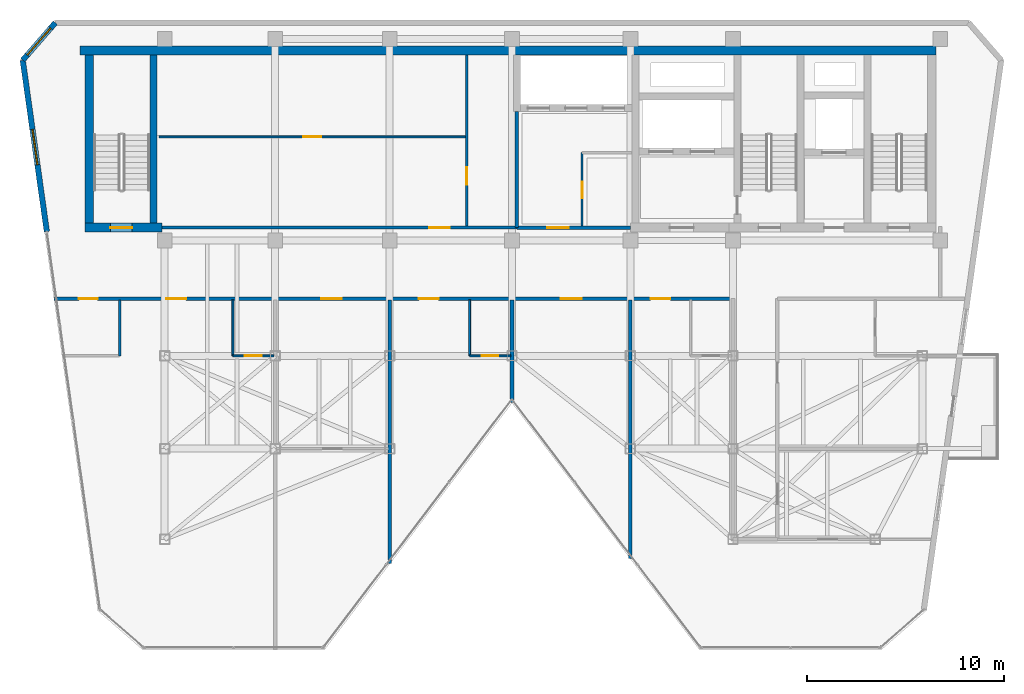
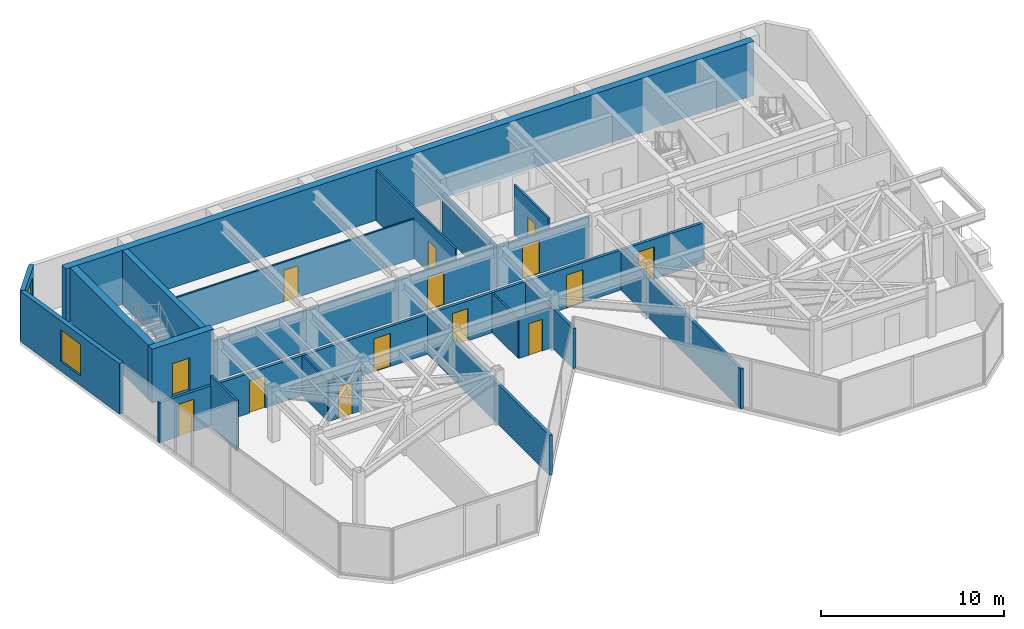
# One storey, part 16 of 20: 21 walls, 14 doors, 2 windows, 16 openings.
"""IFC4 building model written with IfcOpenShell, lengths in metres."""

from ifc_helpers import new_model, si_unit, direction, frame, frame_2d, origin, place, context, subcontext, project, spatial, rectangle, extrude, material, layer, layer_set, type_object, element, fill, save


model = new_model("IFC4")

# Units and contexts
model_context = context("Model", 3, precision=1e-05, world=origin(), true_north=direction((0.0, 1.0)))
body_context = subcontext(model_context, "Body", "Model", "MODEL_VIEW")
ifc_project = project(units=[si_unit("LENGTHUNIT", "METRE"), si_unit("AREAUNIT", "SQUARE_METRE"), si_unit("VOLUMEUNIT", "CUBIC_METRE"), si_unit("PLANEANGLEUNIT", "RADIAN"), si_unit("MASSUNIT", "GRAM", prefix="KILO")], contexts=[model_context])

# Site, building, storey
site_placement = place(None, origin())
site = spatial("IfcSite", under=ifc_project, at=site_placement, CompositionType="ELEMENT")
building_placement = place(site_placement, origin())
building = spatial("IfcBuilding", under=site, at=building_placement, Name="Kravanh Interchange Tower", CompositionType="ELEMENT")
storey_placement = place(building_placement, frame((0.0, 0.0, 234.60009765625)))
storey = spatial("IfcBuildingStorey", under=building, at=storey_placement, Name="L56", CompositionType="ELEMENT", Elevation=234.60009765625)

# Wall, opening, door
ifc_material_1 = material(Name="Double Acoustic Gypsum Board and Mineral Wool")
ifc_layer_1 = layer(ifc_material_1, 0.1201171875)
ifc_layer_set_1 = layer_set([ifc_layer_1], Name="Acoustic Office Drywall Partition 120mm")
wall_type_1 = type_object("IfcWallType", Name="Acoustic Office Drywall Partition 120mm", PredefinedType="PARTITIONING", material=ifc_layer_set_1)
wall_1_placement = place(storey_placement, frame((48.35009765625, 38.068115234375, 0.0), z_axis=(0.0, 0.0, 1.0), x_axis=(0.0, 1.0, 0.0)))
wall_1 = element("IfcWall", 1, at=wall_1_placement, inside=storey, type_object=wall_type_1, Name="L56 Interior Partition 2", PredefinedType="PARTITIONING", context=body_context, shape_type="SweptSolid", body=[
    extrude(rectangle(XDim=3.73193359375, YDim=0.1201171875, at=frame_2d((1.865966796875, 0.0))), origin(), (0.0, 0.0, 1.0), 3.35986328125),
])
opening_1_placement = place(wall_1_placement, frame((1.406982421875, 0.0, 0.0)))
opening_1 = element("IfcOpeningElement", 2, at=opening_1_placement, cuts=wall_1, Name="Opening D-85", PredefinedType="OPENING", context=body_context, shape_type="SweptSolid", body=[
    extrude(rectangle(XDim=0.85009765625, YDim=2.10009765625, at=frame_2d((0.425048828125, 1.050048828125))), frame((0.0, 0.070068359375, 0.0), z_axis=(0.0, -1.0, 0.0), x_axis=(1.0, 0.0, 0.0)), (0.0, 0.0, 1.0), 0.14013671875),
])
ifc_material_2 = material(Name="Engineered Teak Veneer Timber", Category="wood")
door_type_1 = type_object("IfcDoorType", Name="En-Suite Timber Door 850x2100", OperationType="NOTDEFINED", PredefinedType="DOOR", material=ifc_material_2)
door_1_placement = place(opening_1_placement, origin())
door_1 = element("IfcDoor", 3, at=door_1_placement, inside=storey, type_object=door_type_1, Name="L56 Core Electrical Closet Door", OperationType="SINGLE_SWING_LEFT", OverallHeight=2.10009765625, OverallWidth=0.85009765625, PredefinedType="DOOR", context=body_context, shape_type="SweptSolid", body=[
    extrude(rectangle(XDim=0.85009765625, YDim=2.10009765625, at=frame_2d((0.425048828125, 1.050048828125))), frame((0.0, 0.02490234375, 0.0), z_axis=(0.0, -1.0, 0.0), x_axis=(1.0, 0.0, 0.0)), (0.0, 0.0, 1.0), 0.050048828125),
])
fill(opening_1, door_1)

wall_2_placement = place(storey_placement, frame((42.5, 38.068115234375, 0.0), z_axis=(0.0, 0.0, 1.0), x_axis=(0.0, 1.0, 0.0)))
wall_2 = element("IfcWall", 4, at=wall_2_placement, inside=storey, type_object=wall_type_1, Name="L56 Interior Partition 7", PredefinedType="PARTITIONING", context=body_context, shape_type="SweptSolid", body=[
    extrude(rectangle(XDim=8.673828125, YDim=0.1201171875, at=frame_2d((4.3369140625, 0.0))), origin(), (0.0, 0.0, 1.0), 3.35986328125),
])
opening_2_placement = place(wall_2_placement, frame((2.09130859375, 0.0, 0.0)))
opening_2 = element("IfcOpeningElement", 5, at=opening_2_placement, cuts=wall_2, Name="Opening D-90", PredefinedType="OPENING", context=body_context, shape_type="SweptSolid", body=[
    extrude(rectangle(XDim=0.89990234375, YDim=2.10009765625, at=frame_2d((0.449951171875, 1.050048828125))), frame((0.0, 0.070068359375, 0.0), z_axis=(0.0, -1.0, 0.0), x_axis=(1.0, 0.0, 0.0)), (0.0, 0.0, 1.0), 0.14013671875),
])
ifc_material_3 = material(Name="Painted Solid-Core Timber", Category="wood")
door_type_2 = type_object("IfcDoorType", Name="Service Room Door 900x2100", OperationType="NOTDEFINED", PredefinedType="DOOR", material=ifc_material_3)
door_2_placement = place(opening_2_placement, origin())
door_2 = element("IfcDoor", 6, at=door_2_placement, inside=storey, type_object=door_type_2, Name="L56 Housekeeping Inner Door", OperationType="SINGLE_SWING_RIGHT", OverallHeight=2.10009765625, OverallWidth=0.89990234375, PredefinedType="DOOR", context=body_context, shape_type="SweptSolid", body=[
    extrude(rectangle(XDim=0.89990234375, YDim=2.10009765625, at=frame_2d((0.449951171875, 1.050048828125))), frame((0.0, 0.02490234375, 0.0), z_axis=(0.0, -1.0, 0.0), x_axis=(1.0, 0.0, 0.0)), (0.0, 0.0, 1.0), 0.050048828125),
])
fill(opening_2, door_2)

# Walls
wall_3_placement = place(storey_placement, frame((24.919921875, 31.5, 0.0), z_axis=(0.0, 0.0, 1.0), x_axis=(0.0, 1.0, 0.0)))
element("IfcWall", 7, at=wall_3_placement, inside=storey, type_object=wall_type_1, Name="L56 Interior Partition 15", PredefinedType="PARTITIONING", context=body_context, shape_type="SweptSolid", body=[
    extrude(rectangle(XDim=2.83203125, YDim=0.1201171875, at=frame_2d((1.416015625, 0.0))), origin(), (0.0, 0.0, 1.0), 3.35986328125),
])
ifc_material_4 = material(Name="Concrete C60/75", Category="concrete")
ifc_layer_2 = layer(ifc_material_4, 0.35009765625)
ifc_layer_set_2 = layer_set([ifc_layer_2], Name="Core Shear Wall Concrete C60/75 350mm")
wall_type_2 = type_object("IfcWallType", Name="Core Shear Wall Concrete C60/75 350mm", PredefinedType="SHEAR", material=ifc_layer_set_2)
wall_4_placement = place(storey_placement, frame((26.625, 38.22509765625, 0.0), z_axis=(0.0, 0.0, 1.0), x_axis=(0.0, 1.0, 0.0)))
element("IfcWall", 8, at=wall_4_placement, inside=storey, type_object=wall_type_2, Name="L56 Stair ST3 East Shear Wall", PredefinedType="SHEAR", context=body_context, shape_type="SweptSolid", body=[
    extrude(rectangle(XDim=8.52490234375, YDim=0.35009765625, at=frame_2d((4.262451171875, 0.0))), origin(), (0.0, 0.0, 1.0), 3.599853515625),
])
ifc_material_5 = material(Name="Concrete C60/75", Category="concrete")
ifc_layer_3 = layer(ifc_material_5, 0.449951171875)
ifc_layer_set_3 = layer_set([ifc_layer_3], Name="Core Shear Wall Concrete C60/75 450mm")
wall_type_3 = type_object("IfcWallType", Name="Core Shear Wall Concrete C60/75 450mm", PredefinedType="SHEAR", material=ifc_layer_set_3)
wall_5_placement = place(storey_placement, frame((22.89990234375, 46.97509765625, 0.0), z_axis=(0.0, 0.0, 1.0), x_axis=(1.0, 0.0, 0.0)))
element("IfcWall", 9, at=wall_5_placement, inside=storey, type_object=wall_type_3, Name="L56 North Core Shear Wall", PredefinedType="SHEAR", context=body_context, shape_type="SweptSolid", body=[
    extrude(rectangle(XDim=43.400146484375, YDim=0.449951171875, at=frame_2d((21.7001953125, 0.0))), origin(), (0.0, 0.0, 1.0), 3.599853515625),
])

# Wall, opening, door
wall_6_placement = place(storey_placement, frame((23.14990234375, 38.0, 0.0), z_axis=(0.0, 0.0, 1.0), x_axis=(1.0, 0.0, 0.0)))
wall_6 = element("IfcWall", 10, at=wall_6_placement, inside=storey, type_object=wall_type_3, Name="L56 Stair ST3 South Shear Wall", PredefinedType="SHEAR", context=body_context, shape_type="SweptSolid", body=[
    extrude(rectangle(XDim=3.900146484375, YDim=0.449951171875, at=frame_2d((1.9501953125, 0.0))), origin(), (0.0, 0.0, 1.0), 3.599853515625),
])
opening_3_placement = place(wall_6_placement, frame((1.300048828125, 0.0, 0.0)))
opening_3 = element("IfcOpeningElement", 11, at=opening_3_placement, cuts=wall_6, Name="Opening D-STAIR-110", PredefinedType="OPENING", context=body_context, shape_type="SweptSolid", body=[
    extrude(rectangle(XDim=1.10009765625, YDim=2.199951171875, at=frame_2d((0.550048828125, 1.10009765625))), frame((0.0, 0.23486328125, 0.0), z_axis=(0.0, -1.0, 0.0), x_axis=(1.0, 0.0, 0.0)), (0.0, 0.0, 1.0), 0.469970703125),
])
ifc_material_6 = material(Name="Structural Steel S355", Category="steel")
door_type_3 = type_object("IfcDoorType", Name="Fire-Rated Exit Stair Door 1100x2200", OperationType="NOTDEFINED", PredefinedType="DOOR", material=ifc_material_6)
door_3_placement = place(opening_3_placement, origin())
door_3 = element("IfcDoor", 12, at=door_3_placement, inside=storey, type_object=door_type_3, Name="L56 Exit Stair ST3 Door", OperationType="SINGLE_SWING_RIGHT", OverallHeight=2.199951171875, OverallWidth=1.10009765625, PredefinedType="DOOR", context=body_context, shape_type="SweptSolid", body=[
    extrude(rectangle(XDim=1.10009765625, YDim=2.199951171875, at=frame_2d((0.550048828125, 1.10009765625))), frame((0.0, 0.02490234375, 0.0), z_axis=(0.0, -1.0, 0.0), x_axis=(1.0, 0.0, 0.0)), (0.0, 0.0, 1.0), 0.050048828125),
])
fill(opening_3, door_3)

# Wall
wall_7_placement = place(storey_placement, frame((23.375, 38.22509765625, 0.0), z_axis=(0.0, 0.0, 1.0), x_axis=(0.0, 1.0, 0.0)))
element("IfcWall", 13, at=wall_7_placement, inside=storey, type_object=wall_type_3, Name="L56 Stair ST3 West Shear Wall", PredefinedType="SHEAR", context=body_context, shape_type="SweptSolid", body=[
    extrude(rectangle(XDim=8.52490234375, YDim=0.449951171875, at=frame_2d((4.262451171875, 0.0))), origin(), (0.0, 0.0, 1.0), 3.599853515625),
])

# Wall, opening, door
ifc_material_7 = material(Name="Moisture-Resistant Gypsum Board and Mineral Wool")
ifc_layer_4 = layer(ifc_material_7, 0.10009765625)
ifc_layer_set_4 = layer_set([ifc_layer_4], Name="En-Suite Moisture-Resistant Partition 100mm")
wall_type_4 = type_object("IfcWallType", Name="En-Suite Moisture-Resistant Partition 100mm", PredefinedType="PARTITIONING", material=ifc_layer_set_4)
wall_8_placement = place(storey_placement, frame((26.91796875, 42.60009765625, 0.0), z_axis=(0.0, 0.0, 1.0), x_axis=(1.0, 0.0, 0.0)))
wall_8 = element("IfcWall", 14, at=wall_8_placement, inside=storey, type_object=wall_type_4, Name="L56 Interior Partition 8", PredefinedType="PARTITIONING", context=body_context, shape_type="SweptSolid", body=[
    extrude(rectangle(XDim=15.513916015625, YDim=0.10009765625, at=frame_2d((7.7568359375, 0.0))), origin(), (0.0, 0.0, 1.0), 2.663818359375),
])
opening_4_placement = place(wall_8_placement, frame((7.306884765625, 0.0, 0.0)))
opening_4 = element("IfcOpeningElement", 15, at=opening_4_placement, cuts=wall_8, Name="Opening D-90", PredefinedType="OPENING", context=body_context, shape_type="SweptSolid", body=[
    extrude(rectangle(XDim=0.89990234375, YDim=2.10009765625, at=frame_2d((0.449951171875, 1.050048828125))), frame((0.0, 0.06005859375, 0.0), z_axis=(0.0, -1.0, 0.0), x_axis=(1.0, 0.0, 0.0)), (0.0, 0.0, 1.0), 0.1201171875),
])
door_4_placement = place(opening_4_placement, origin())
door_4 = element("IfcDoor", 16, at=door_4_placement, inside=storey, type_object=door_type_2, Name="L56 Quiet Reading Alcove Inner Door", OperationType="SINGLE_SWING_LEFT", OverallHeight=2.10009765625, OverallWidth=0.89990234375, PredefinedType="DOOR", context=body_context, shape_type="SweptSolid", body=[
    extrude(rectangle(XDim=0.89990234375, YDim=2.10009765625, at=frame_2d((0.449951171875, 1.050048828125))), frame((0.0, 0.02490234375, 0.0), z_axis=(0.0, -1.0, 0.0), x_axis=(1.0, 0.0, 0.0)), (0.0, 0.0, 1.0), 0.050048828125),
])
fill(opening_4, door_4)

# Wall
wall_9_placement = place(storey_placement, frame((30.64990234375, 31.5, 0.0), z_axis=(0.0, 0.0, 1.0), x_axis=(0.0, 1.0, 0.0)))
element("IfcWall", 17, at=wall_9_placement, inside=storey, type_object=wall_type_4, Name="L56 Interior Partition 21", PredefinedType="PARTITIONING", context=body_context, shape_type="SweptSolid", body=[
    extrude(rectangle(XDim=2.83203125, YDim=0.10009765625, at=frame_2d((1.416015625, 0.0))), origin(), (0.0, 0.0, 1.0), 2.663818359375),
])

# Wall, opening, door
wall_10_placement = place(storey_placement, frame((30.64990234375, 31.5, 0.0), z_axis=(0.0, 0.0, 1.0), x_axis=(1.0, 0.0, 0.0)))
wall_10 = element("IfcWall", 18, at=wall_10_placement, inside=storey, type_object=wall_type_4, Name="L56 Interior Partition 22", PredefinedType="PARTITIONING", context=body_context, shape_type="SweptSolid", body=[
    extrude(rectangle(XDim=2.08203125, YDim=0.10009765625, at=frame_2d((1.041015625, 0.0))), origin(), (0.0, 0.0, 1.0), 2.663818359375),
])
opening_5_placement = place(wall_10_placement, frame((0.607421875, 0.0, 0.0)))
opening_5 = element("IfcOpeningElement", 19, at=opening_5_placement, cuts=wall_10, Name="Opening D-85", PredefinedType="OPENING", context=body_context, shape_type="SweptSolid", body=[
    extrude(rectangle(XDim=0.85009765625, YDim=2.10009765625, at=frame_2d((0.425048828125, 1.050048828125))), frame((0.0, 0.06005859375, 0.0), z_axis=(0.0, -1.0, 0.0), x_axis=(1.0, 0.0, 0.0)), (0.0, 0.0, 1.0), 0.1201171875),
])
door_5_placement = place(opening_5_placement, origin())
door_5 = element("IfcDoor", 20, at=door_5_placement, inside=storey, type_object=door_type_1, Name="L56 En-suite Bathroom Door", OperationType="SINGLE_SWING_LEFT", OverallHeight=2.10009765625, OverallWidth=0.85009765625, PredefinedType="DOOR", context=body_context, shape_type="SweptSolid", body=[
    extrude(rectangle(XDim=0.85009765625, YDim=2.10009765625, at=frame_2d((0.425048828125, 1.050048828125))), frame((0.0, 0.02490234375, 0.0), z_axis=(0.0, -1.0, 0.0), x_axis=(1.0, 0.0, 0.0)), (0.0, 0.0, 1.0), 0.050048828125),
])
fill(opening_5, door_5)

# Wall
wall_11_placement = place(storey_placement, frame((42.64990234375, 31.5, 0.0), z_axis=(0.0, 0.0, 1.0), x_axis=(0.0, 1.0, 0.0)))
element("IfcWall", 21, at=wall_11_placement, inside=storey, type_object=wall_type_4, Name="L56 Interior Partition 26", PredefinedType="PARTITIONING", context=body_context, shape_type="SweptSolid", body=[
    extrude(rectangle(XDim=2.83203125, YDim=0.10009765625, at=frame_2d((1.416015625, 0.0))), origin(), (0.0, 0.0, 1.0), 2.663818359375),
])

# Wall, opening, door
wall_12_placement = place(storey_placement, frame((42.64990234375, 31.5, 0.0), z_axis=(0.0, 0.0, 1.0), x_axis=(1.0, 0.0, 0.0)))
wall_12 = element("IfcWall", 22, at=wall_12_placement, inside=storey, type_object=wall_type_4, Name="L56 Interior Partition 27", PredefinedType="PARTITIONING", context=body_context, shape_type="SweptSolid", body=[
    extrude(rectangle(XDim=2.08203125, YDim=0.10009765625, at=frame_2d((1.041015625, 0.0))), origin(), (0.0, 0.0, 1.0), 2.663818359375),
])
opening_6_placement = place(wall_12_placement, frame((0.607421875, 0.0, 0.0)))
opening_6 = element("IfcOpeningElement", 23, at=opening_6_placement, cuts=wall_12, Name="Opening D-85", PredefinedType="OPENING", context=body_context, shape_type="SweptSolid", body=[
    extrude(rectangle(XDim=0.85009765625, YDim=2.10009765625, at=frame_2d((0.425048828125, 1.050048828125))), frame((0.0, 0.06005859375, 0.0), z_axis=(0.0, -1.0, 0.0), x_axis=(1.0, 0.0, 0.0)), (0.0, 0.0, 1.0), 0.1201171875),
])
door_6_placement = place(opening_6_placement, origin())
door_6 = element("IfcDoor", 24, at=door_6_placement, inside=storey, type_object=door_type_1, Name="L56 En-suite Bathroom Door", OperationType="SINGLE_SWING_LEFT", OverallHeight=2.10009765625, OverallWidth=0.85009765625, PredefinedType="DOOR", context=body_context, shape_type="SweptSolid", body=[
    extrude(rectangle(XDim=0.85009765625, YDim=2.10009765625, at=frame_2d((0.425048828125, 1.050048828125))), frame((0.0, 0.02490234375, 0.0), z_axis=(0.0, -1.0, 0.0), x_axis=(1.0, 0.0, 0.0)), (0.0, 0.0, 1.0), 0.050048828125),
])
fill(opening_6, door_6)

# Wall, opening, window
ifc_material_8 = material(Name="Insulated Precast Concrete C40/50 with Bronze Cladding", Category="concrete")
ifc_layer_5 = layer(ifc_material_8, 0.280029296875)
ifc_layer_set_5 = layer_set([ifc_layer_5], Name="Exterior Insulated Concrete C40/50 Bronze Spandrel Wall 280mm")
wall_type_5 = type_object("IfcWallType", Name="Exterior Insulated Concrete C40/50 Bronze Spandrel Wall 280mm", PredefinedType="STANDARD", material=ifc_layer_set_5)
wall_13_placement = place(storey_placement, frame((21.224853515625, 37.800048828125, 0.0), z_axis=(0.0, 0.0, 1.0), x_axis=(-0.139179310088, 0.990267196086, 0.0)))
wall_13 = element("IfcWall", 25, at=wall_13_placement, inside=storey, type_object=wall_type_5, Name="L56 Exterior Wall 1", PredefinedType="STANDARD", context=body_context, shape_type="SweptSolid", body=[
    extrude(rectangle(XDim=8.767333984375, YDim=0.280029296875, at=frame_2d((4.3837890625, 0.0))), origin(), (0.0, 0.0, 1.0), 3.35986328125),
])
opening_7_placement = place(wall_13_placement, frame((3.422607421875, 0.0, 0.64990234375)))
opening_7 = element("IfcOpeningElement", 26, at=opening_7_placement, cuts=wall_13, Name="Opening WN-180X210", PredefinedType="OPENING", context=body_context, shape_type="SweptSolid", body=[
    extrude(rectangle(XDim=1.800048828125, YDim=2.10009765625, at=frame_2d((0.89990234375, 1.050048828125))), frame((0.0, 0.14990234375, 0.0), z_axis=(0.0, -1.0, 0.0), x_axis=(1.0, 0.0, 0.0)), (0.0, 0.0, 1.0), 0.300048828125),
])
ifc_material_9 = material(Name="Thermally Broken Bronze Aluminium and Low-E Glass", Category="aluminium")
window_type = type_object("IfcWindowType", Name="Tower Pier Window 1800x2100", PartitioningType="SINGLE_PANEL", PredefinedType="WINDOW", material=ifc_material_9)
window_1_placement = place(opening_7_placement, origin())
window_1 = element("IfcWindow", 27, at=window_1_placement, inside=storey, type_object=window_type, Name="L56 Corner Window 1", OverallHeight=2.10009765625, OverallWidth=1.800048828125, PartitioningType="SINGLE_PANEL", PredefinedType="WINDOW", context=body_context, shape_type="SweptSolid", body=[
    extrude(rectangle(XDim=1.800048828125, YDim=2.10009765625, at=frame_2d((0.89990234375, 1.050048828125))), frame((0.0, 0.030029296875, 0.0), z_axis=(0.0, -1.0, 0.0), x_axis=(1.0, 0.0, 0.0)), (0.0, 0.0, 1.0), 0.06005859375),
])
fill(opening_7, window_1)

wall_14_placement = place(storey_placement, frame((20.004638671875, 46.48193359375, 0.0), z_axis=(0.0, 0.0, 1.0), x_axis=(0.656123436343, 0.75465358694, 0.0)))
wall_14 = element("IfcWall", 28, at=wall_14_placement, inside=storey, type_object=wall_type_5, Name="L56 Exterior Wall 2", PredefinedType="STANDARD", context=body_context, shape_type="SweptSolid", body=[
    extrude(rectangle(XDim=2.514892578125, YDim=0.280029296875, at=frame_2d((1.25732421875, 0.0))), origin(), (0.0, 0.0, 1.0), 3.35986328125),
])
opening_8_placement = place(wall_14_placement, frame((0.352783203125, 0.0, 0.64990234375)))
opening_8 = element("IfcOpeningElement", 29, at=opening_8_placement, cuts=wall_14, Name="Opening WN-180X210", PredefinedType="OPENING", context=body_context, shape_type="SweptSolid", body=[
    extrude(rectangle(XDim=1.800048828125, YDim=2.10009765625, at=frame_2d((0.89990234375, 1.050048828125))), frame((0.0, 0.14990234375, 0.0), z_axis=(0.0, -1.0, 0.0), x_axis=(1.0, 0.0, 0.0)), (0.0, 0.0, 1.0), 0.300048828125),
])
window_2_placement = place(opening_8_placement, origin())
window_2 = element("IfcWindow", 30, at=window_2_placement, inside=storey, type_object=window_type, Name="L56 Corner Window 2", OverallHeight=2.10009765625, OverallWidth=1.800048828125, PartitioningType="SINGLE_PANEL", PredefinedType="WINDOW", context=body_context, shape_type="SweptSolid", body=[
    extrude(rectangle(XDim=1.800048828125, YDim=2.10009765625, at=frame_2d((0.89990234375, 1.050048828125))), frame((0.0, 0.030029296875, 0.0), z_axis=(0.0, -1.0, 0.0), x_axis=(1.0, 0.0, 0.0)), (0.0, 0.0, 1.0), 0.06005859375),
])
fill(opening_8, window_2)

# Wall, opening, door
ifc_material_10 = material(Name="Autoclaved Aerated Concrete C30/37 Blockwork", Category="masonry")
ifc_layer_6 = layer(ifc_material_10, 0.179931640625)
ifc_layer_set_6 = layer_set([ifc_layer_6], Name="Fire-Rated Lobby and Corridor Wall Concrete C30/37 180mm")
wall_type_6 = type_object("IfcWallType", Name="Fire-Rated Lobby and Corridor Wall Concrete C30/37 180mm", PredefinedType="STANDARD", material=ifc_layer_set_6)
wall_15_placement = place(storey_placement, frame((45.050048828125, 38.0, 0.0), z_axis=(0.0, 0.0, 1.0), x_axis=(1.0, 0.0, 0.0)))
wall_15 = element("IfcWall", 31, at=wall_15_placement, inside=storey, type_object=wall_type_6, Name="L56 High-Rise Lift Lobby Wall 1", PredefinedType="STANDARD", context=body_context, shape_type="SweptSolid", body=[
    extrude(rectangle(XDim=5.75, YDim=0.179931640625, at=frame_2d((2.875, 0.0))), origin(), (0.0, 0.0, 1.0), 2.663818359375),
])
opening_9_placement = place(wall_15_placement, frame((1.52490234375, 0.0, 0.0)))
opening_9 = element("IfcOpeningElement", 32, at=opening_9_placement, cuts=wall_15, Name="Opening D-SHAFT-110", PredefinedType="OPENING", context=body_context, shape_type="SweptSolid", body=[
    extrude(rectangle(XDim=1.10009765625, YDim=2.199951171875, at=frame_2d((0.550048828125, 1.10009765625))), frame((0.0, 0.10009765625, 0.0), z_axis=(0.0, -1.0, 0.0), x_axis=(1.0, 0.0, 0.0)), (0.0, 0.0, 1.0), 0.199951171875),
])
ifc_material_11 = material(Name="Fire-Rated Composite Timber Leaf", Category="wood")
door_type_4 = type_object("IfcDoorType", Name="Fire-Rated Core Support Door 1100x2200", OperationType="NOTDEFINED", PredefinedType="DOOR", material=ifc_material_11)
door_7_placement = place(opening_9_placement, origin())
door_7 = element("IfcDoor", 33, at=door_7_placement, inside=storey, type_object=door_type_4, Name="L56 High-Rise Lift Lobby Door", OperationType="SINGLE_SWING_RIGHT", OverallHeight=2.199951171875, OverallWidth=1.10009765625, PredefinedType="DOOR", context=body_context, shape_type="SweptSolid", body=[
    extrude(rectangle(XDim=1.10009765625, YDim=2.199951171875, at=frame_2d((0.550048828125, 1.10009765625))), frame((0.0, 0.02490234375, 0.0), z_axis=(0.0, -1.0, 0.0), x_axis=(1.0, 0.0, 0.0)), (0.0, 0.0, 1.0), 0.050048828125),
])
fill(opening_9, door_7)

# Wall
wall_16_placement = place(storey_placement, frame((45.050048828125, 38.0, 0.0), z_axis=(0.0, 0.0, 1.0), x_axis=(0.0, 1.0, 0.0)))
element("IfcWall", 34, at=wall_16_placement, inside=storey, type_object=wall_type_6, Name="L56 Interior Partition 4", PredefinedType="STANDARD", context=body_context, shape_type="SweptSolid", body=[
    extrude(rectangle(XDim=5.875, YDim=0.179931640625, at=frame_2d((2.9375, 0.0))), origin(), (0.0, 0.0, 1.0), 2.663818359375),
])

# Wall, openings, doors
wall_17_placement = place(storey_placement, frame((21.5966796875, 34.39990234375, 0.0), z_axis=(0.0, 0.0, 1.0), x_axis=(1.0, 0.0, 0.0)))
wall_17 = element("IfcWall", 35, at=wall_17_placement, inside=storey, type_object=wall_type_6, Name="L56 Interior Partition 9", PredefinedType="STANDARD", context=body_context, shape_type="SweptSolid", body=[
    extrude(rectangle(XDim=34.4033203125, YDim=0.179931640625, at=frame_2d((17.20166015625, 0.0))), origin(), (0.0, 0.0, 1.0), 2.663818359375),
])
opening_10_placement = place(wall_17_placement, frame((1.257568359375, 0.0, 0.0)))
opening_10 = element("IfcOpeningElement", 36, at=opening_10_placement, cuts=wall_17, Name="Opening D-95", PredefinedType="OPENING", context=body_context, shape_type="SweptSolid", body=[
    extrude(rectangle(XDim=0.949951171875, YDim=2.14990234375, at=frame_2d((0.47509765625, 1.074951171875))), frame((0.0, 0.10009765625, 0.0), z_axis=(0.0, -1.0, 0.0), x_axis=(1.0, 0.0, 0.0)), (0.0, 0.0, 1.0), 0.199951171875),
])
opening_11_placement = place(wall_17_placement, frame((5.688232421875, 0.0, 0.0)))
opening_11 = element("IfcOpeningElement", 37, at=opening_11_placement, cuts=wall_17, Name="Opening D-HOTEL-100", PredefinedType="OPENING", context=body_context, shape_type="SweptSolid", body=[
    extrude(rectangle(XDim=1.0, YDim=2.14990234375, at=frame_2d((0.5, 1.074951171875))), frame((0.0, 0.10009765625, 0.0), z_axis=(0.0, -1.0, 0.0), x_axis=(1.0, 0.0, 0.0)), (0.0, 0.0, 1.0), 0.199951171875),
])
opening_12_placement = place(wall_17_placement, frame((13.53759765625, 0.0, 0.0)))
opening_12 = element("IfcOpeningElement", 38, at=opening_12_placement, cuts=wall_17, Name="Opening D-105", PredefinedType="OPENING", context=body_context, shape_type="SweptSolid", body=[
    extrude(rectangle(XDim=1.050048828125, YDim=2.199951171875, at=frame_2d((0.52490234375, 1.10009765625))), frame((0.0, 0.10009765625, 0.0), z_axis=(0.0, -1.0, 0.0), x_axis=(1.0, 0.0, 0.0)), (0.0, 0.0, 1.0), 0.199951171875),
])
opening_13_placement = place(wall_17_placement, frame((18.488037109375, 0.0, 0.0)))
opening_13 = element("IfcOpeningElement", 39, at=opening_13_placement, cuts=wall_17, Name="Opening D-HOTEL-100", PredefinedType="OPENING", context=body_context, shape_type="SweptSolid", body=[
    extrude(rectangle(XDim=1.0, YDim=2.14990234375, at=frame_2d((0.5, 1.074951171875))), frame((0.0, 0.10009765625, 0.0), z_axis=(0.0, -1.0, 0.0), x_axis=(1.0, 0.0, 0.0)), (0.0, 0.0, 1.0), 0.199951171875),
])
opening_14_placement = place(wall_17_placement, frame((25.67822265625, 0.0, 0.0)))
opening_14 = element("IfcOpeningElement", 40, at=opening_14_placement, cuts=wall_17, Name="Opening D-105", PredefinedType="OPENING", context=body_context, shape_type="SweptSolid", body=[
    extrude(rectangle(XDim=1.050048828125, YDim=2.199951171875, at=frame_2d((0.52490234375, 1.10009765625))), frame((0.0, 0.10009765625, 0.0), z_axis=(0.0, -1.0, 0.0), x_axis=(1.0, 0.0, 0.0)), (0.0, 0.0, 1.0), 0.199951171875),
])
opening_15_placement = place(wall_17_placement, frame((30.228271484375, 0.0, 0.0)))
opening_15 = element("IfcOpeningElement", 41, at=opening_15_placement, cuts=wall_17, Name="Opening D-HOTEL-100", PredefinedType="OPENING", context=body_context, shape_type="SweptSolid", body=[
    extrude(rectangle(XDim=1.0, YDim=2.14990234375, at=frame_2d((0.5, 1.074951171875))), frame((0.0, 0.10009765625, 0.0), z_axis=(0.0, -1.0, 0.0), x_axis=(1.0, 0.0, 0.0)), (0.0, 0.0, 1.0), 0.199951171875),
])
ifc_material_12 = material(Name="Laminate Solid-Core Timber", Category="wood")
door_type_5 = type_object("IfcDoorType", Name="Accessible Restroom Door 950x2150", OperationType="NOTDEFINED", PredefinedType="DOOR", material=ifc_material_12)
door_8_placement = place(opening_10_placement, origin())
door_8 = element("IfcDoor", 42, at=door_8_placement, inside=storey, type_object=door_type_5, Name="L56 Accessible WC Door", OperationType="SINGLE_SWING_LEFT", OverallHeight=2.14990234375, OverallWidth=0.949951171875, PredefinedType="DOOR", context=body_context, shape_type="SweptSolid", body=[
    extrude(rectangle(XDim=0.949951171875, YDim=2.14990234375, at=frame_2d((0.47509765625, 1.074951171875))), frame((0.0, 0.02490234375, 0.0), z_axis=(0.0, -1.0, 0.0), x_axis=(1.0, 0.0, 0.0)), (0.0, 0.0, 1.0), 0.050048828125),
])
fill(opening_10, door_8)
ifc_material_13 = material(Name="Fire-Rated Solid Timber Leaf", Category="wood")
door_type_6 = type_object("IfcDoorType", Name="Fire-Rated Suite Entrance Door 1000x2150", OperationType="NOTDEFINED", PredefinedType="DOOR", material=ifc_material_13)
door_9_placement = place(opening_11_placement, origin())
door_9 = element("IfcDoor", 43, at=door_9_placement, inside=storey, type_object=door_type_6, Name="L56 Imperial Sky Hotel Suite Entrance Door", OperationType="SINGLE_SWING_RIGHT", OverallHeight=2.14990234375, OverallWidth=1.0, PredefinedType="DOOR", context=body_context, shape_type="SweptSolid", body=[
    extrude(rectangle(XDim=1.0, YDim=2.14990234375, at=frame_2d((0.5, 1.074951171875))), frame((0.0, 0.02490234375, 0.0), z_axis=(0.0, -1.0, 0.0), x_axis=(1.0, 0.0, 0.0)), (0.0, 0.0, 1.0), 0.050048828125),
])
fill(opening_11, door_9)
door_10_placement = place(opening_13_placement, origin())
door_10 = element("IfcDoor", 44, at=door_10_placement, inside=storey, type_object=door_type_6, Name="L56 Diplomatic Hotel Suite 10B Entrance Door", OperationType="SINGLE_SWING_RIGHT", OverallHeight=2.14990234375, OverallWidth=1.0, PredefinedType="DOOR", context=body_context, shape_type="SweptSolid", body=[
    extrude(rectangle(XDim=1.0, YDim=2.14990234375, at=frame_2d((0.5, 1.074951171875))), frame((0.0, 0.02490234375, 0.0), z_axis=(0.0, -1.0, 0.0), x_axis=(1.0, 0.0, 0.0)), (0.0, 0.0, 1.0), 0.050048828125),
])
fill(opening_13, door_10)
door_11_placement = place(opening_15_placement, origin())
door_11 = element("IfcDoor", 45, at=door_11_placement, inside=storey, type_object=door_type_6, Name="L56 Imperial Sky Hotel Suite Entrance Door", OperationType="SINGLE_SWING_LEFT", OverallHeight=2.14990234375, OverallWidth=1.0, PredefinedType="DOOR", context=body_context, shape_type="SweptSolid", body=[
    extrude(rectangle(XDim=1.0, YDim=2.14990234375, at=frame_2d((0.5, 1.074951171875))), frame((0.0, 0.02490234375, 0.0), z_axis=(0.0, -1.0, 0.0), x_axis=(1.0, 0.0, 0.0)), (0.0, 0.0, 1.0), 0.050048828125),
])
fill(opening_15, door_11)
ifc_material_14 = material(Name="Acoustic Glazed Oak and Aluminium", Category="aluminium")
door_type_7 = type_object("IfcDoorType", Name="Office Workplace Door 1050x2200", OperationType="NOTDEFINED", PredefinedType="DOOR", material=ifc_material_14)
door_12_placement = place(opening_12_placement, origin())
door_12 = element("IfcDoor", 46, at=door_12_placement, inside=storey, type_object=door_type_7, Name="L56 Tasting Salon Lounge Door", OperationType="SINGLE_SWING_LEFT", OverallHeight=2.199951171875, OverallWidth=1.050048828125, PredefinedType="DOOR", context=body_context, shape_type="SweptSolid", body=[
    extrude(rectangle(XDim=1.050048828125, YDim=2.199951171875, at=frame_2d((0.52490234375, 1.10009765625))), frame((0.0, 0.02490234375, 0.0), z_axis=(0.0, -1.0, 0.0), x_axis=(1.0, 0.0, 0.0)), (0.0, 0.0, 1.0), 0.050048828125),
])
fill(opening_12, door_12)
door_13_placement = place(opening_14_placement, origin())
door_13 = element("IfcDoor", 47, at=door_13_placement, inside=storey, type_object=door_type_7, Name="L56 Wine Tasting Study Door", OperationType="SINGLE_SWING_RIGHT", OverallHeight=2.199951171875, OverallWidth=1.050048828125, PredefinedType="DOOR", context=body_context, shape_type="SweptSolid", body=[
    extrude(rectangle(XDim=1.050048828125, YDim=2.199951171875, at=frame_2d((0.52490234375, 1.10009765625))), frame((0.0, 0.02490234375, 0.0), z_axis=(0.0, -1.0, 0.0), x_axis=(1.0, 0.0, 0.0)), (0.0, 0.0, 1.0), 0.050048828125),
])
fill(opening_14, door_13)

# Walls
wall_18_placement = place(storey_placement, frame((38.60009765625, 20.966796875, 0.0), z_axis=(0.0, 0.0, 1.0), x_axis=(0.0, 1.0, 0.0)))
element("IfcWall", 48, at=wall_18_placement, inside=storey, type_object=wall_type_6, Name="L56 Interior Partition 25", PredefinedType="STANDARD", context=body_context, shape_type="SweptSolid", body=[
    extrude(rectangle(XDim=13.365234375, YDim=0.179931640625, at=frame_2d((6.6826171875, 0.0))), origin(), (0.0, 0.0, 1.0), 2.663818359375),
])
wall_19_placement = place(storey_placement, frame((44.800048828125, 29.124755859375, 0.0), z_axis=(0.0, 0.0, 1.0), x_axis=(0.0, 1.0, 0.0)))
element("IfcWall", 49, at=wall_19_placement, inside=storey, type_object=wall_type_6, Name="L56 Interior Partition 28", PredefinedType="STANDARD", context=body_context, shape_type="SweptSolid", body=[
    extrude(rectangle(XDim=5.207275390625, YDim=0.179931640625, at=frame_2d((2.603515625, 0.0))), origin(), (0.0, 0.0, 1.0), 2.663818359375),
])
wall_20_placement = place(storey_placement, frame((50.800048828125, 21.22998046875, 0.0), z_axis=(0.0, 0.0, 1.0), x_axis=(0.0, 1.0, 0.0)))
element("IfcWall", 50, at=wall_20_placement, inside=storey, type_object=wall_type_6, Name="L56 Interior Partition 29", PredefinedType="STANDARD", context=body_context, shape_type="SweptSolid", body=[
    extrude(rectangle(XDim=13.10205078125, YDim=0.179931640625, at=frame_2d((6.551025390625, 0.0))), origin(), (0.0, 0.0, 1.0), 2.663818359375),
])

# Wall, opening, door
ifc_material_15 = material(Name="Twin Stud Acoustic Gypsum Board Wall")
ifc_layer_7 = layer(ifc_material_15, 0.14990234375)
ifc_layer_set_7 = layer_set([ifc_layer_7], Name="Medium-Duty Acoustic Partition 150mm")
wall_type_7 = type_object("IfcWallType", Name="Medium-Duty Acoustic Partition 150mm", PredefinedType="PARTITIONING", material=ifc_layer_set_7)
wall_21_placement = place(storey_placement, frame((27.050048828125, 38.0, 0.0), z_axis=(0.0, 0.0, 1.0), x_axis=(1.0, 0.0, 0.0)))
wall_21 = element("IfcWall", 51, at=wall_21_placement, inside=storey, type_object=wall_type_7, Name="L56 Interior Partition 5", PredefinedType="PARTITIONING", context=body_context, shape_type="SweptSolid", body=[
    extrude(rectangle(XDim=18.0, YDim=0.14990234375, at=frame_2d((9.0, 0.0))), origin(), (0.0, 0.0, 1.0), 2.663818359375),
])
opening_16_placement = place(wall_21_placement, frame((13.550048828125, 0.0, 0.0)))
opening_16 = element("IfcOpeningElement", 52, at=opening_16_placement, cuts=wall_21, Name="Opening D-105", PredefinedType="OPENING", context=body_context, shape_type="SweptSolid", body=[
    extrude(rectangle(XDim=1.050048828125, YDim=2.199951171875, at=frame_2d((0.52490234375, 1.10009765625))), frame((0.0, 0.0849609375, 0.0), z_axis=(0.0, -1.0, 0.0), x_axis=(1.0, 0.0, 0.0)), (0.0, 0.0, 1.0), 0.169921875),
])
door_14_placement = place(opening_16_placement, origin())
door_14 = element("IfcDoor", 53, at=door_14_placement, inside=storey, type_object=door_type_7, Name="L56 Executive Business Study Door", OperationType="SINGLE_SWING_RIGHT", OverallHeight=2.199951171875, OverallWidth=1.050048828125, PredefinedType="DOOR", context=body_context, shape_type="SweptSolid", body=[
    extrude(rectangle(XDim=1.050048828125, YDim=2.199951171875, at=frame_2d((0.52490234375, 1.10009765625))), frame((0.0, 0.02490234375, 0.0), z_axis=(0.0, -1.0, 0.0), x_axis=(1.0, 0.0, 0.0)), (0.0, 0.0, 1.0), 0.050048828125),
])
fill(opening_16, door_14)

save(model, "model.ifc")
